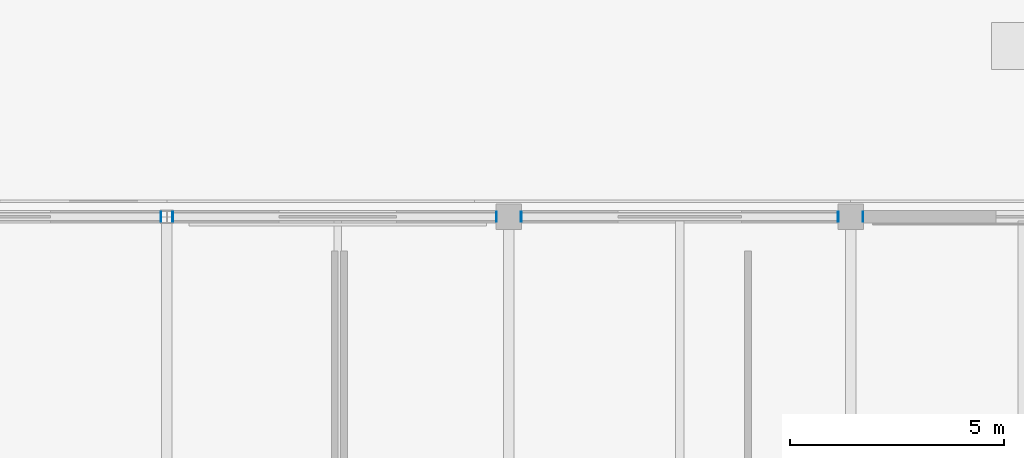
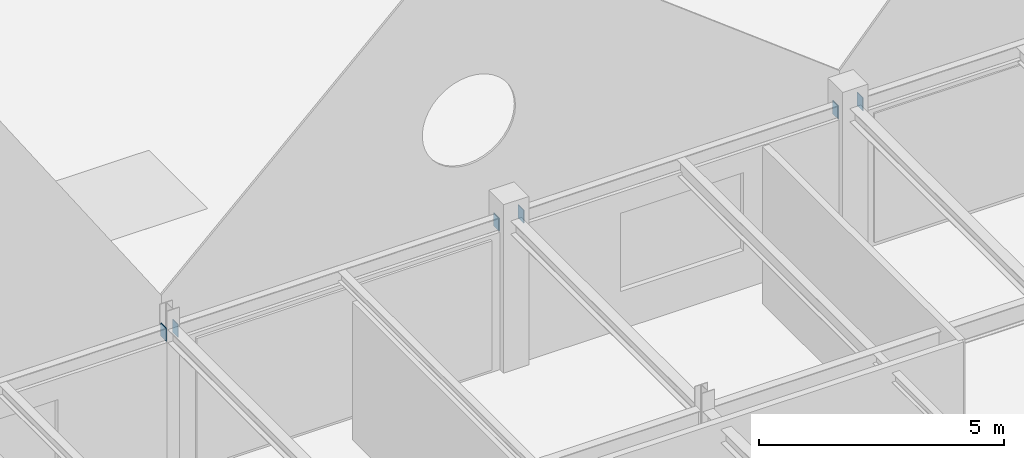
# One storey, part 67 of 88: 6 plates.
"""IFC4 building model written with IfcOpenShell, lengths in metres."""

from ifc_helpers import new_model, si_unit, direction, frame, origin, origin_2d, place, context, subcontext, project, spatial, rectangle, extrude, material, layer, layer_set, type_object, element, save


model = new_model("IFC4")

# Units and contexts
model_context = context("Model", 3, precision=1e-05, world=origin(), true_north=direction((0.0, 1.0)))
body_context = subcontext(model_context, "Body", "Model", "MODEL_VIEW")
ifc_project = project(units=[si_unit("LENGTHUNIT", "METRE"), si_unit("AREAUNIT", "SQUARE_METRE"), si_unit("VOLUMEUNIT", "CUBIC_METRE"), si_unit("PLANEANGLEUNIT", "RADIAN"), si_unit("MASSUNIT", "GRAM", prefix="KILO")], contexts=[model_context])

# Site, building, storey
site_placement = place(None, origin())
site = spatial("IfcSite", under=ifc_project, at=site_placement, CompositionType="ELEMENT")
building_placement = place(site_placement, origin())
building = spatial("IfcBuilding", under=site, at=building_placement, Name="Zhaolan Boulevard Law Courts", CompositionType="ELEMENT")
storey_placement = place(building_placement, frame((0.0, 0.0, 16.199951171875)))
storey = spatial("IfcBuildingStorey", under=building, at=storey_placement, Name="L03", CompositionType="ELEMENT", Elevation=16.199951171875)

# Plates
ifc_material = material(Name="Structural steel Q355B", Category="steel")
ifc_layer = layer(ifc_material, 0.02001953125)
ifc_layer_set = layer_set([ifc_layer])
plate_type = type_object("IfcPlateType", Name="END CAP PLATE 20", PredefinedType="SHEET", material=ifc_layer_set)
for number, where, z_axis, x_axis, name in (
    (1, (67.862060546875, 94.0, 3.423095703125), (0.0, 0.0, 1.0), (1.0, 0.0, 0.0), "Hollow Section End-Cap Plate ECP-0944"),
    (2, (68.137939453125, 94.0, 3.423095703125), (0.0, 0.0, 1.0), (1.0, 0.0, 0.0), "Hollow Section End-Cap Plate ECP-0945"),
    (3, (75.7119140625, 94.0, 3.423095703125), (0.0, 0.0, 1.0), (1.0, 0.0, 0.0), "Hollow Section End-Cap Plate ECP-0946"),
    (4, (76.2880859375, 94.0, 3.423095703125), (0.0, 0.0, 1.0), (1.0, 0.0, 0.0), "Hollow Section End-Cap Plate ECP-0947"),
    (5, (83.7119140625, 94.0, 3.423095703125), (0.0, 0.0, 1.0), (1.0, 0.0, 0.0), "Hollow Section End-Cap Plate ECP-0948"),
    (6, (84.2880859375, 94.0, 3.423095703125), (0.0, 0.0, 1.0), (1.0, 0.0, 0.0), "Hollow Section End-Cap Plate ECP-0949"),
):
    element("IfcPlate", number, at=place(storey_placement, frame(where, z_axis=z_axis, x_axis=x_axis)), inside=storey, type_object=plate_type, Name=name, PredefinedType="SHEET", context=body_context, shape_type="SweptSolid", body=[
        extrude(rectangle(XDim=0.02001953125, YDim=0.22998046875, at=origin_2d()), origin(), (0.0, 0.0, 1.0), 0.330078125),
    ])

save(model, "model.ifc")
